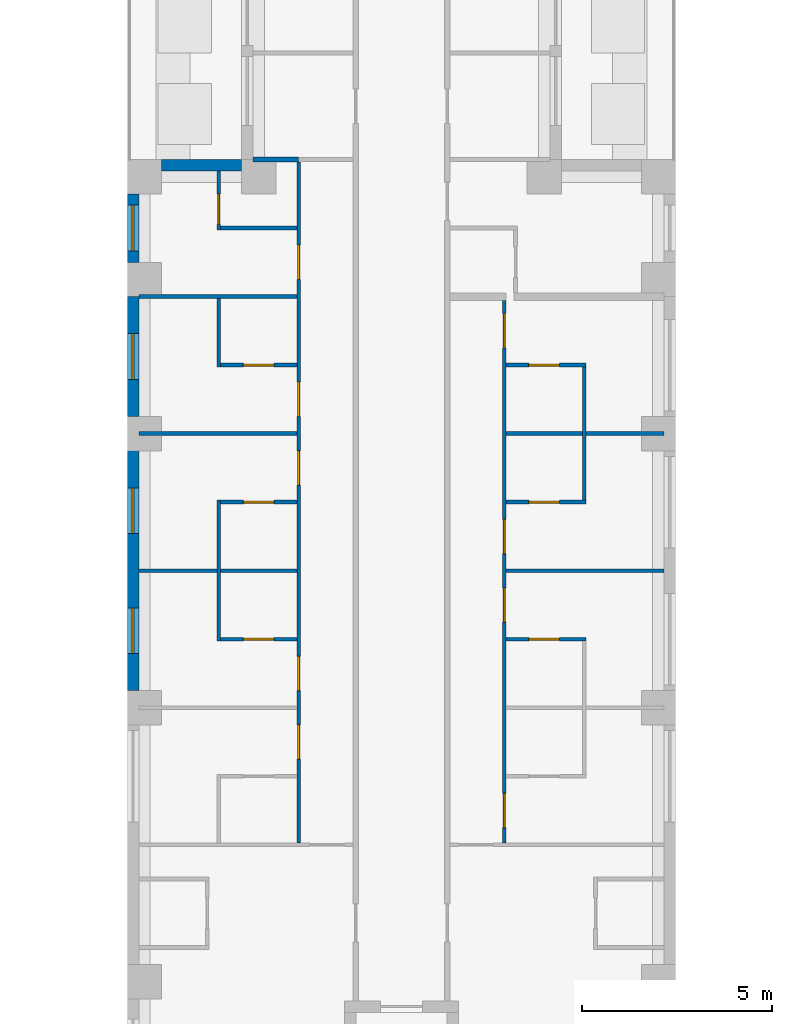
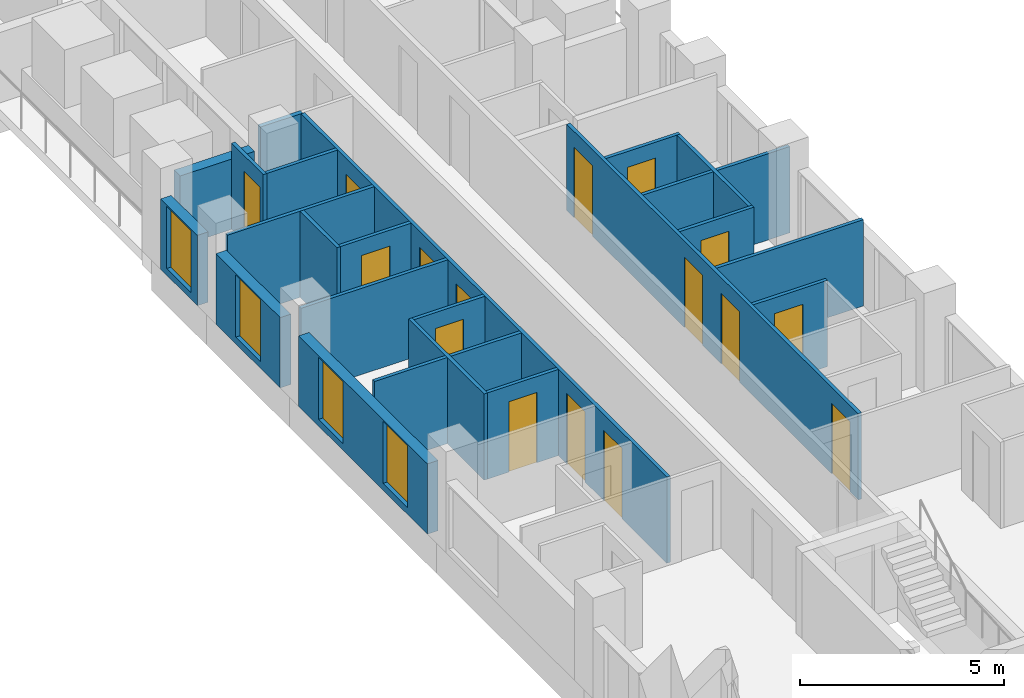
# One storey, part 4 of 14: 23 walls, 16 doors, 4 windows, 20 openings.
"""IFC4 building model written with IfcOpenShell, lengths in metres."""

from ifc_helpers import new_model, si_unit, direction, frame, frame_2d, origin, place, context, subcontext, project, spatial, rectangle, extrude, material, layer, layer_set, type_object, element, fill, save


model = new_model("IFC4")

# Units and contexts
model_context = context("Model", 3, precision=1e-05, world=origin(), true_north=direction((0.0, 1.0)))
body_context = subcontext(model_context, "Body", "Model", "MODEL_VIEW")
ifc_project = project(units=[si_unit("LENGTHUNIT", "METRE"), si_unit("AREAUNIT", "SQUARE_METRE"), si_unit("VOLUMEUNIT", "CUBIC_METRE"), si_unit("PLANEANGLEUNIT", "RADIAN"), si_unit("MASSUNIT", "GRAM", prefix="KILO")], contexts=[model_context])

# Site, building, storey
site_placement = place(None, origin())
site = spatial("IfcSite", under=ifc_project, at=site_placement, CompositionType="ELEMENT")
building_placement = place(site_placement, origin())
building = spatial("IfcBuilding", under=site, at=building_placement, Name="Fustian Cross Tower", CompositionType="ELEMENT")
storey_placement = place(building_placement, frame((0.0, 0.0, 69.89990234375)))
storey = spatial("IfcBuildingStorey", under=building, at=storey_placement, Name="L21", CompositionType="ELEMENT", Elevation=69.89990234375)

# Walls
ifc_material_1 = material(Name="Plasterboard on steel stud", Category="steel")
ifc_layer_1 = layer(ifc_material_1, 0.10009765625)
ifc_layer_set_1 = layer_set([ifc_layer_1], Name="Plasterboard on steel stud")
wall_type_1 = type_object("IfcWallType", Name="PARTITION 100 STUD", PredefinedType="PARTITIONING", material=ifc_layer_set_1)
for number, where, z_axis, x_axis, name in (
    (1, (-6.89990234375, -25.199951171875, 0.0), (0.0, 0.0, 1.0), (1.0, 0.0, 0.0), "Partition 22"),
    (2, (-6.89990234375, -21.60009765625, 0.0), (0.0, 0.0, 1.0), (1.0, 0.0, 0.0), "Partition 23"),
    (3, (-6.89990234375, -18.0, 0.0), (0.0, 0.0, 1.0), (1.0, 0.0, 0.0), "Partition 24"),
):
    element("IfcWall", number, at=place(storey_placement, frame(where, z_axis=z_axis, x_axis=x_axis)), inside=storey, type_object=wall_type_1, Name=name, PredefinedType="PARTITIONING", context=body_context, shape_type="SweptSolid", body=[
        extrude(rectangle(XDim=4.14990234375, YDim=0.10009765625, at=frame_2d((2.074951171875, 0.0))), origin(), (0.0, 0.0, 1.0), 2.5751953125),
    ])
wall_1_placement = place(storey_placement, frame((-4.800048828125, -27.050048828125, 0.0), z_axis=(0.0, 0.0, 1.0), x_axis=(0.0, 1.0, 0.0)))
element("IfcWall", 4, at=wall_1_placement, inside=storey, type_object=wall_type_1, Name="Partition 31", PredefinedType="PARTITIONING", context=body_context, shape_type="SweptSolid", body=[
    extrude(rectangle(XDim=3.699951171875, YDim=0.10009765625, at=frame_2d((1.85009765625, 0.0))), origin(), (0.0, 0.0, 1.0), 2.5751953125),
])

# Wall, opening, door
wall_2_placement = place(storey_placement, frame((-4.75, -27.0, 0.0), z_axis=(0.0, 0.0, 1.0), x_axis=(1.0, 0.0, 0.0)))
wall_2 = element("IfcWall", 5, at=wall_2_placement, inside=storey, type_object=wall_type_1, Name="Partition 32", PredefinedType="PARTITIONING", context=body_context, shape_type="SweptSolid", body=[
    extrude(rectangle(XDim=2.0, YDim=0.10009765625, at=frame_2d((1.0, 0.0))), origin(), (0.0, 0.0, 1.0), 2.5751953125),
])
opening_1_placement = place(wall_2_placement, frame((0.60009765625, 0.0, 0.0)))
opening_1 = element("IfcOpeningElement", 6, at=opening_1_placement, cuts=wall_2, Name="Opening D11064", PredefinedType="OPENING", context=body_context, shape_type="SweptSolid", body=[
    extrude(rectangle(XDim=0.800048828125, YDim=2.10009765625, at=frame_2d((0.39990234375, 1.050048828125))), frame((0.0, 0.06005859375, 0.0), z_axis=(0.0, -1.0, 0.0), x_axis=(1.0, 0.0, 0.0)), (0.0, 0.0, 1.0), 0.1201171875),
])
ifc_material_2 = material(Name="Painted timber", Category="wood")
door_type_1 = type_object("IfcDoorType", Name="SWING DOOR 800", OperationType="SINGLE_SWING_LEFT", PredefinedType="DOOR", material=ifc_material_2)
door_1_placement = place(opening_1_placement, origin())
door_1 = element("IfcDoor", 7, at=door_1_placement, inside=storey, type_object=door_type_1, Name="Door D11064", OperationType="SINGLE_SWING_LEFT", OverallHeight=2.10009765625, OverallWidth=0.800048828125, PredefinedType="DOOR", context=body_context, shape_type="SweptSolid", body=[
    extrude(rectangle(XDim=0.800048828125, YDim=2.10009765625, at=frame_2d((0.39990234375, 1.050048828125))), frame((0.0, 0.02490234375, 0.0), z_axis=(0.0, -1.0, 0.0), x_axis=(1.0, 0.0, 0.0)), (0.0, 0.0, 1.0), 0.050048828125),
])
fill(opening_1, door_1)

wall_3_placement = place(storey_placement, frame((-4.75, -23.39990234375, 0.0), z_axis=(0.0, 0.0, 1.0), x_axis=(1.0, 0.0, 0.0)))
wall_3 = element("IfcWall", 8, at=wall_3_placement, inside=storey, type_object=wall_type_1, Name="Partition 33", PredefinedType="PARTITIONING", context=body_context, shape_type="SweptSolid", body=[
    extrude(rectangle(XDim=2.0, YDim=0.10009765625, at=frame_2d((1.0, 0.0))), origin(), (0.0, 0.0, 1.0), 2.5751953125),
])
opening_2_placement = place(wall_3_placement, frame((0.60009765625, 0.0, 0.0)))
opening_2 = element("IfcOpeningElement", 9, at=opening_2_placement, cuts=wall_3, Name="Opening D11063", PredefinedType="OPENING", context=body_context, shape_type="SweptSolid", body=[
    extrude(rectangle(XDim=0.800048828125, YDim=2.10009765625, at=frame_2d((0.39990234375, 1.050048828125))), frame((0.0, 0.06005859375, 0.0), z_axis=(0.0, -1.0, 0.0), x_axis=(1.0, 0.0, 0.0)), (0.0, 0.0, 1.0), 0.1201171875),
])
door_2_placement = place(opening_2_placement, frame((0.800048828125, 0.0, 0.0), z_axis=(0.0, 0.0, 1.0), x_axis=(-1.0, 0.0, 0.0)))
door_2 = element("IfcDoor", 10, at=door_2_placement, inside=storey, type_object=door_type_1, Name="Door D11063", OperationType="SINGLE_SWING_RIGHT", OverallHeight=2.10009765625, OverallWidth=0.800048828125, PredefinedType="DOOR", context=body_context, shape_type="SweptSolid", body=[
    extrude(rectangle(XDim=0.800048828125, YDim=2.10009765625, at=frame_2d((0.39990234375, 1.050048828125))), frame((0.0, 0.02490234375, 0.0), z_axis=(0.0, -1.0, 0.0), x_axis=(1.0, 0.0, 0.0)), (0.0, 0.0, 1.0), 0.050048828125),
])
fill(opening_2, door_2)

# Wall
wall_4_placement = place(storey_placement, frame((-4.800048828125, -19.85009765625, 0.0), z_axis=(0.0, 0.0, 1.0), x_axis=(0.0, 1.0, 0.0)))
element("IfcWall", 11, at=wall_4_placement, inside=storey, type_object=wall_type_1, Name="Partition 34", PredefinedType="PARTITIONING", context=body_context, shape_type="SweptSolid", body=[
    extrude(rectangle(XDim=1.800048828125, YDim=0.10009765625, at=frame_2d((0.89990234375, 0.0))), origin(), (0.0, 0.0, 1.0), 2.5751953125),
])

# Wall, opening, door
wall_5_placement = place(storey_placement, frame((-4.75, -19.800048828125, 0.0), z_axis=(0.0, 0.0, 1.0), x_axis=(1.0, 0.0, 0.0)))
wall_5 = element("IfcWall", 12, at=wall_5_placement, inside=storey, type_object=wall_type_1, Name="Partition 35", PredefinedType="PARTITIONING", context=body_context, shape_type="SweptSolid", body=[
    extrude(rectangle(XDim=2.0, YDim=0.10009765625, at=frame_2d((1.0, 0.0))), origin(), (0.0, 0.0, 1.0), 2.5751953125),
])
opening_3_placement = place(wall_5_placement, frame((0.60009765625, 0.0, 0.0)))
opening_3 = element("IfcOpeningElement", 13, at=opening_3_placement, cuts=wall_5, Name="Opening D11062", PredefinedType="OPENING", context=body_context, shape_type="SweptSolid", body=[
    extrude(rectangle(XDim=0.800048828125, YDim=2.10009765625, at=frame_2d((0.39990234375, 1.050048828125))), frame((0.0, 0.06005859375, 0.0), z_axis=(0.0, -1.0, 0.0), x_axis=(1.0, 0.0, 0.0)), (0.0, 0.0, 1.0), 0.1201171875),
])
door_3_placement = place(opening_3_placement, origin())
door_3 = element("IfcDoor", 14, at=door_3_placement, inside=storey, type_object=door_type_1, Name="Door D11062", OperationType="SINGLE_SWING_LEFT", OverallHeight=2.10009765625, OverallWidth=0.800048828125, PredefinedType="DOOR", context=body_context, shape_type="SweptSolid", body=[
    extrude(rectangle(XDim=0.800048828125, YDim=2.10009765625, at=frame_2d((0.39990234375, 1.050048828125))), frame((0.0, 0.02490234375, 0.0), z_axis=(0.0, -1.0, 0.0), x_axis=(1.0, 0.0, 0.0)), (0.0, 0.0, 1.0), 0.050048828125),
])
fill(opening_3, door_3)

wall_6_placement = place(storey_placement, frame((-4.800048828125, -16.25, 0.0), z_axis=(0.0, 0.0, 1.0), x_axis=(0.0, 1.0, 0.0)))
wall_6 = element("IfcWall", 15, at=wall_6_placement, inside=storey, type_object=wall_type_1, Name="Partition 36", PredefinedType="PARTITIONING", context=body_context, shape_type="SweptSolid", body=[
    extrude(rectangle(XDim=1.550048828125, YDim=0.10009765625, at=frame_2d((0.77490234375, 0.0))), origin(), (0.0, 0.0, 1.0), 2.5751953125),
])
opening_4_placement = place(wall_6_placement, frame((0.14990234375, 0.0, 0.0)))
opening_4 = element("IfcOpeningElement", 16, at=opening_4_placement, cuts=wall_6, Name="Opening D11061", PredefinedType="OPENING", context=body_context, shape_type="SweptSolid", body=[
    extrude(rectangle(XDim=0.800048828125, YDim=2.10009765625, at=frame_2d((0.39990234375, 1.050048828125))), frame((0.0, 0.06005859375, 0.0), z_axis=(0.0, -1.0, 0.0), x_axis=(1.0, 0.0, 0.0)), (0.0, 0.0, 1.0), 0.1201171875),
])
door_4_placement = place(opening_4_placement, frame((0.800048828125, 0.0, 0.0), z_axis=(0.0, 0.0, 1.0), x_axis=(-1.0, 0.0, 0.0)))
door_4 = element("IfcDoor", 17, at=door_4_placement, inside=storey, type_object=door_type_1, Name="Door D11061", OperationType="SINGLE_SWING_RIGHT", OverallHeight=2.10009765625, OverallWidth=0.800048828125, PredefinedType="DOOR", context=body_context, shape_type="SweptSolid", body=[
    extrude(rectangle(XDim=0.800048828125, YDim=2.10009765625, at=frame_2d((0.39990234375, 1.050048828125))), frame((0.0, 0.02490234375, 0.0), z_axis=(0.0, -1.0, 0.0), x_axis=(1.0, 0.0, 0.0)), (0.0, 0.0, 1.0), 0.050048828125),
])
fill(opening_4, door_4)

# Wall
wall_7_placement = place(storey_placement, frame((-4.75, -16.199951171875, 0.0), z_axis=(0.0, 0.0, 1.0), x_axis=(1.0, 0.0, 0.0)))
element("IfcWall", 18, at=wall_7_placement, inside=storey, type_object=wall_type_1, Name="Partition 37", PredefinedType="PARTITIONING", context=body_context, shape_type="SweptSolid", body=[
    extrude(rectangle(XDim=2.0, YDim=0.10009765625, at=frame_2d((1.0, 0.0))), origin(), (0.0, 0.0, 1.0), 2.5751953125),
])

# Wall, openings, doors
wall_8_placement = place(storey_placement, frame((-2.699951171875, -32.35009765625, 0.0), z_axis=(0.0, 0.0, 1.0), x_axis=(0.0, 1.0, 0.0)))
wall_8 = element("IfcWall", 19, at=wall_8_placement, inside=storey, type_object=wall_type_1, Name="Partition 47", PredefinedType="PARTITIONING", context=body_context, shape_type="SweptSolid", body=[
    extrude(rectangle(XDim=17.8876953125, YDim=0.10009765625, at=frame_2d((8.94384765625, 0.0))), origin(), (0.0, 0.0, 1.0), 2.5751953125),
])
opening_5_placement = place(wall_8_placement, frame((2.199951171875, 0.0, 0.0)))
opening_5 = element("IfcOpeningElement", 20, at=opening_5_placement, cuts=wall_8, Name="Opening D11055", PredefinedType="OPENING", context=body_context, shape_type="SweptSolid", body=[
    extrude(rectangle(XDim=0.89990234375, YDim=2.10009765625, at=frame_2d((0.449951171875, 1.050048828125))), frame((0.0, 0.06005859375, 0.0), z_axis=(0.0, -1.0, 0.0), x_axis=(1.0, 0.0, 0.0)), (0.0, 0.0, 1.0), 0.1201171875),
])
opening_6_placement = place(wall_8_placement, frame((4.0, 0.0, 0.0)))
opening_6 = element("IfcOpeningElement", 21, at=opening_6_placement, cuts=wall_8, Name="Opening D11056", PredefinedType="OPENING", context=body_context, shape_type="SweptSolid", body=[
    extrude(rectangle(XDim=0.89990234375, YDim=2.10009765625, at=frame_2d((0.449951171875, 1.050048828125))), frame((0.0, 0.06005859375, 0.0), z_axis=(0.0, -1.0, 0.0), x_axis=(1.0, 0.0, 0.0)), (0.0, 0.0, 1.0), 0.1201171875),
])
opening_7_placement = place(wall_8_placement, frame((9.39990234375, 0.0, 0.0)))
opening_7 = element("IfcOpeningElement", 22, at=opening_7_placement, cuts=wall_8, Name="Opening D11057", PredefinedType="OPENING", context=body_context, shape_type="SweptSolid", body=[
    extrude(rectangle(XDim=0.89990234375, YDim=2.10009765625, at=frame_2d((0.449951171875, 1.050048828125))), frame((0.0, 0.06005859375, 0.0), z_axis=(0.0, -1.0, 0.0), x_axis=(1.0, 0.0, 0.0)), (0.0, 0.0, 1.0), 0.1201171875),
])
opening_8_placement = place(wall_8_placement, frame((11.199951171875, 0.0, 0.0)))
opening_8 = element("IfcOpeningElement", 23, at=opening_8_placement, cuts=wall_8, Name="Opening D11058", PredefinedType="OPENING", context=body_context, shape_type="SweptSolid", body=[
    extrude(rectangle(XDim=0.89990234375, YDim=2.10009765625, at=frame_2d((0.449951171875, 1.050048828125))), frame((0.0, 0.06005859375, 0.0), z_axis=(0.0, -1.0, 0.0), x_axis=(1.0, 0.0, 0.0)), (0.0, 0.0, 1.0), 0.1201171875),
])
opening_9_placement = place(wall_8_placement, frame((14.800048828125, 0.0, 0.0)))
opening_9 = element("IfcOpeningElement", 24, at=opening_9_placement, cuts=wall_8, Name="Opening D11059", PredefinedType="OPENING", context=body_context, shape_type="SweptSolid", body=[
    extrude(rectangle(XDim=0.89990234375, YDim=2.10009765625, at=frame_2d((0.449951171875, 1.050048828125))), frame((0.0, 0.06005859375, 0.0), z_axis=(0.0, -1.0, 0.0), x_axis=(1.0, 0.0, 0.0)), (0.0, 0.0, 1.0), 0.1201171875),
])
ifc_material_3 = material(Name="Painted timber", Category="wood")
door_type_2 = type_object("IfcDoorType", Name="SWING DOOR 900", OperationType="SINGLE_SWING_LEFT", PredefinedType="DOOR", material=ifc_material_3)
door_5_placement = place(opening_5_placement, origin())
door_5 = element("IfcDoor", 25, at=door_5_placement, inside=storey, type_object=door_type_2, Name="Door D11055", OperationType="SINGLE_SWING_LEFT", OverallHeight=2.10009765625, OverallWidth=0.89990234375, PredefinedType="DOOR", context=body_context, shape_type="SweptSolid", body=[
    extrude(rectangle(XDim=0.89990234375, YDim=2.10009765625, at=frame_2d((0.449951171875, 1.050048828125))), frame((0.0, 0.02490234375, 0.0), z_axis=(0.0, -1.0, 0.0), x_axis=(1.0, 0.0, 0.0)), (0.0, 0.0, 1.0), 0.050048828125),
])
fill(opening_5, door_5)
door_6_placement = place(opening_6_placement, origin())
door_6 = element("IfcDoor", 26, at=door_6_placement, inside=storey, type_object=door_type_2, Name="Door D11056", OperationType="SINGLE_SWING_LEFT", OverallHeight=2.10009765625, OverallWidth=0.89990234375, PredefinedType="DOOR", context=body_context, shape_type="SweptSolid", body=[
    extrude(rectangle(XDim=0.89990234375, YDim=2.10009765625, at=frame_2d((0.449951171875, 1.050048828125))), frame((0.0, 0.02490234375, 0.0), z_axis=(0.0, -1.0, 0.0), x_axis=(1.0, 0.0, 0.0)), (0.0, 0.0, 1.0), 0.050048828125),
])
fill(opening_6, door_6)
door_7_placement = place(opening_7_placement, origin())
door_7 = element("IfcDoor", 27, at=door_7_placement, inside=storey, type_object=door_type_2, Name="Door D11057", OperationType="SINGLE_SWING_LEFT", OverallHeight=2.10009765625, OverallWidth=0.89990234375, PredefinedType="DOOR", context=body_context, shape_type="SweptSolid", body=[
    extrude(rectangle(XDim=0.89990234375, YDim=2.10009765625, at=frame_2d((0.449951171875, 1.050048828125))), frame((0.0, 0.02490234375, 0.0), z_axis=(0.0, -1.0, 0.0), x_axis=(1.0, 0.0, 0.0)), (0.0, 0.0, 1.0), 0.050048828125),
])
fill(opening_7, door_7)
door_8_placement = place(opening_8_placement, origin())
door_8 = element("IfcDoor", 28, at=door_8_placement, inside=storey, type_object=door_type_2, Name="Door D11058", OperationType="SINGLE_SWING_LEFT", OverallHeight=2.10009765625, OverallWidth=0.89990234375, PredefinedType="DOOR", context=body_context, shape_type="SweptSolid", body=[
    extrude(rectangle(XDim=0.89990234375, YDim=2.10009765625, at=frame_2d((0.449951171875, 1.050048828125))), frame((0.0, 0.02490234375, 0.0), z_axis=(0.0, -1.0, 0.0), x_axis=(1.0, 0.0, 0.0)), (0.0, 0.0, 1.0), 0.050048828125),
])
fill(opening_8, door_8)
door_9_placement = place(opening_9_placement, origin())
door_9 = element("IfcDoor", 29, at=door_9_placement, inside=storey, type_object=door_type_2, Name="Door D11059", OperationType="SINGLE_SWING_LEFT", OverallHeight=2.10009765625, OverallWidth=0.89990234375, PredefinedType="DOOR", context=body_context, shape_type="SweptSolid", body=[
    extrude(rectangle(XDim=0.89990234375, YDim=2.10009765625, at=frame_2d((0.449951171875, 1.050048828125))), frame((0.0, 0.02490234375, 0.0), z_axis=(0.0, -1.0, 0.0), x_axis=(1.0, 0.0, 0.0)), (0.0, 0.0, 1.0), 0.050048828125),
])
fill(opening_9, door_9)

wall_9_placement = place(storey_placement, frame((2.699951171875, -32.35009765625, 0.0), z_axis=(0.0, 0.0, 1.0), x_axis=(0.0, 1.0, 0.0)))
wall_9 = element("IfcWall", 30, at=wall_9_placement, inside=storey, type_object=wall_type_1, Name="Partition 67", PredefinedType="PARTITIONING", context=body_context, shape_type="SweptSolid", body=[
    extrude(rectangle(XDim=14.25, YDim=0.10009765625, at=frame_2d((7.125, 0.0))), origin(), (0.0, 0.0, 1.0), 2.5751953125),
])
opening_10_placement = place(wall_9_placement, frame((0.400146484375, 0.0, 0.0)))
opening_10 = element("IfcOpeningElement", 31, at=opening_10_placement, cuts=wall_9, Name="Opening D11043", PredefinedType="OPENING", context=body_context, shape_type="SweptSolid", body=[
    extrude(rectangle(XDim=0.89990234375, YDim=2.10009765625, at=frame_2d((0.449951171875, 1.050048828125))), frame((0.0, 0.06005859375, 0.0), z_axis=(0.0, -1.0, 0.0), x_axis=(1.0, 0.0, 0.0)), (0.0, 0.0, 1.0), 0.1201171875),
])
opening_11_placement = place(wall_9_placement, frame((5.800048828125, 0.0, 0.0)))
opening_11 = element("IfcOpeningElement", 32, at=opening_11_placement, cuts=wall_9, Name="Opening D11044", PredefinedType="OPENING", context=body_context, shape_type="SweptSolid", body=[
    extrude(rectangle(XDim=0.89990234375, YDim=2.10009765625, at=frame_2d((0.449951171875, 1.050048828125))), frame((0.0, 0.06005859375, 0.0), z_axis=(0.0, -1.0, 0.0), x_axis=(1.0, 0.0, 0.0)), (0.0, 0.0, 1.0), 0.1201171875),
])
opening_12_placement = place(wall_9_placement, frame((7.60009765625, 0.0, 0.0)))
opening_12 = element("IfcOpeningElement", 33, at=opening_12_placement, cuts=wall_9, Name="Opening D11045", PredefinedType="OPENING", context=body_context, shape_type="SweptSolid", body=[
    extrude(rectangle(XDim=0.89990234375, YDim=2.10009765625, at=frame_2d((0.449951171875, 1.050048828125))), frame((0.0, 0.06005859375, 0.0), z_axis=(0.0, -1.0, 0.0), x_axis=(1.0, 0.0, 0.0)), (0.0, 0.0, 1.0), 0.1201171875),
])
opening_13_placement = place(wall_9_placement, frame((13.0, 0.0, 0.0)))
opening_13 = element("IfcOpeningElement", 34, at=opening_13_placement, cuts=wall_9, Name="Opening D11046", PredefinedType="OPENING", context=body_context, shape_type="SweptSolid", body=[
    extrude(rectangle(XDim=0.89990234375, YDim=2.10009765625, at=frame_2d((0.449951171875, 1.050048828125))), frame((0.0, 0.06005859375, 0.0), z_axis=(0.0, -1.0, 0.0), x_axis=(1.0, 0.0, 0.0)), (0.0, 0.0, 1.0), 0.1201171875),
])
door_10_placement = place(opening_10_placement, frame((0.89990234375, 0.0, 0.0), z_axis=(0.0, 0.0, 1.0), x_axis=(-1.0, 0.0, 0.0)))
door_10 = element("IfcDoor", 35, at=door_10_placement, inside=storey, type_object=door_type_2, Name="Door D11043", OperationType="SINGLE_SWING_RIGHT", OverallHeight=2.10009765625, OverallWidth=0.89990234375, PredefinedType="DOOR", context=body_context, shape_type="SweptSolid", body=[
    extrude(rectangle(XDim=0.89990234375, YDim=2.10009765625, at=frame_2d((0.449951171875, 1.050048828125))), frame((0.0, 0.02490234375, 0.0), z_axis=(0.0, -1.0, 0.0), x_axis=(1.0, 0.0, 0.0)), (0.0, 0.0, 1.0), 0.050048828125),
])
fill(opening_10, door_10)
door_11_placement = place(opening_11_placement, frame((0.89990234375, 0.0, 0.0), z_axis=(0.0, 0.0, 1.0), x_axis=(-1.0, 0.0, 0.0)))
door_11 = element("IfcDoor", 36, at=door_11_placement, inside=storey, type_object=door_type_2, Name="Door D11044", OperationType="SINGLE_SWING_RIGHT", OverallHeight=2.10009765625, OverallWidth=0.89990234375, PredefinedType="DOOR", context=body_context, shape_type="SweptSolid", body=[
    extrude(rectangle(XDim=0.89990234375, YDim=2.10009765625, at=frame_2d((0.449951171875, 1.050048828125))), frame((0.0, 0.02490234375, 0.0), z_axis=(0.0, -1.0, 0.0), x_axis=(1.0, 0.0, 0.0)), (0.0, 0.0, 1.0), 0.050048828125),
])
fill(opening_11, door_11)
door_12_placement = place(opening_12_placement, frame((0.89990234375, 0.0, 0.0), z_axis=(0.0, 0.0, 1.0), x_axis=(-1.0, 0.0, 0.0)))
door_12 = element("IfcDoor", 37, at=door_12_placement, inside=storey, type_object=door_type_2, Name="Door D11045", OperationType="SINGLE_SWING_RIGHT", OverallHeight=2.10009765625, OverallWidth=0.89990234375, PredefinedType="DOOR", context=body_context, shape_type="SweptSolid", body=[
    extrude(rectangle(XDim=0.89990234375, YDim=2.10009765625, at=frame_2d((0.449951171875, 1.050048828125))), frame((0.0, 0.02490234375, 0.0), z_axis=(0.0, -1.0, 0.0), x_axis=(1.0, 0.0, 0.0)), (0.0, 0.0, 1.0), 0.050048828125),
])
fill(opening_12, door_12)
door_13_placement = place(opening_13_placement, frame((0.89990234375, 0.0, 0.0), z_axis=(0.0, 0.0, 1.0), x_axis=(-1.0, 0.0, 0.0)))
door_13 = element("IfcDoor", 38, at=door_13_placement, inside=storey, type_object=door_type_2, Name="Door D11046", OperationType="SINGLE_SWING_RIGHT", OverallHeight=2.10009765625, OverallWidth=0.89990234375, PredefinedType="DOOR", context=body_context, shape_type="SweptSolid", body=[
    extrude(rectangle(XDim=0.89990234375, YDim=2.10009765625, at=frame_2d((0.449951171875, 1.050048828125))), frame((0.0, 0.02490234375, 0.0), z_axis=(0.0, -1.0, 0.0), x_axis=(1.0, 0.0, 0.0)), (0.0, 0.0, 1.0), 0.050048828125),
])
fill(opening_13, door_13)

# Wall, opening, door
wall_10_placement = place(storey_placement, frame((2.75, -27.0, 0.0), z_axis=(0.0, 0.0, 1.0), x_axis=(1.0, 0.0, 0.0)))
wall_10 = element("IfcWall", 39, at=wall_10_placement, inside=storey, type_object=wall_type_1, Name="Partition 70", PredefinedType="PARTITIONING", context=body_context, shape_type="SweptSolid", body=[
    extrude(rectangle(XDim=2.10009765625, YDim=0.10009765625, at=frame_2d((1.050048828125, 0.0))), origin(), (0.0, 0.0, 1.0), 2.5751953125),
])
opening_14_placement = place(wall_10_placement, frame((0.60009765625, 0.0, 0.0)))
opening_14 = element("IfcOpeningElement", 40, at=opening_14_placement, cuts=wall_10, Name="Opening D11049", PredefinedType="OPENING", context=body_context, shape_type="SweptSolid", body=[
    extrude(rectangle(XDim=0.800048828125, YDim=2.10009765625, at=frame_2d((0.39990234375, 1.050048828125))), frame((0.0, 0.06005859375, 0.0), z_axis=(0.0, -1.0, 0.0), x_axis=(1.0, 0.0, 0.0)), (0.0, 0.0, 1.0), 0.1201171875),
])
door_14_placement = place(opening_14_placement, frame((0.800048828125, 0.0, 0.0), z_axis=(0.0, 0.0, 1.0), x_axis=(-1.0, 0.0, 0.0)))
door_14 = element("IfcDoor", 41, at=door_14_placement, inside=storey, type_object=door_type_1, Name="Door D11049", OperationType="SINGLE_SWING_RIGHT", OverallHeight=2.10009765625, OverallWidth=0.800048828125, PredefinedType="DOOR", context=body_context, shape_type="SweptSolid", body=[
    extrude(rectangle(XDim=0.800048828125, YDim=2.10009765625, at=frame_2d((0.39990234375, 1.050048828125))), frame((0.0, 0.02490234375, 0.0), z_axis=(0.0, -1.0, 0.0), x_axis=(1.0, 0.0, 0.0)), (0.0, 0.0, 1.0), 0.050048828125),
])
fill(opening_14, door_14)

# Wall
wall_11_placement = place(storey_placement, frame((2.75, -25.199951171875, 0.0), z_axis=(0.0, 0.0, 1.0), x_axis=(1.0, 0.0, 0.0)))
element("IfcWall", 42, at=wall_11_placement, inside=storey, type_object=wall_type_1, Name="Partition 71", PredefinedType="PARTITIONING", context=body_context, shape_type="SweptSolid", body=[
    extrude(rectangle(XDim=4.14990234375, YDim=0.10009765625, at=frame_2d((2.074951171875, 0.0))), origin(), (0.0, 0.0, 1.0), 2.5751953125),
])

# Wall, opening, door
wall_12_placement = place(storey_placement, frame((2.75, -23.39990234375, 0.0), z_axis=(0.0, 0.0, 1.0), x_axis=(1.0, 0.0, 0.0)))
wall_12 = element("IfcWall", 43, at=wall_12_placement, inside=storey, type_object=wall_type_1, Name="Partition 72", PredefinedType="PARTITIONING", context=body_context, shape_type="SweptSolid", body=[
    extrude(rectangle(XDim=2.10009765625, YDim=0.10009765625, at=frame_2d((1.050048828125, 0.0))), origin(), (0.0, 0.0, 1.0), 2.5751953125),
])
opening_15_placement = place(wall_12_placement, frame((0.60009765625, 0.0, 0.0)))
opening_15 = element("IfcOpeningElement", 44, at=opening_15_placement, cuts=wall_12, Name="Opening D11048", PredefinedType="OPENING", context=body_context, shape_type="SweptSolid", body=[
    extrude(rectangle(XDim=0.800048828125, YDim=2.10009765625, at=frame_2d((0.39990234375, 1.050048828125))), frame((0.0, 0.06005859375, 0.0), z_axis=(0.0, -1.0, 0.0), x_axis=(1.0, 0.0, 0.0)), (0.0, 0.0, 1.0), 0.1201171875),
])
door_15_placement = place(opening_15_placement, origin())
door_15 = element("IfcDoor", 45, at=door_15_placement, inside=storey, type_object=door_type_1, Name="Door D11048", OperationType="SINGLE_SWING_LEFT", OverallHeight=2.10009765625, OverallWidth=0.800048828125, PredefinedType="DOOR", context=body_context, shape_type="SweptSolid", body=[
    extrude(rectangle(XDim=0.800048828125, YDim=2.10009765625, at=frame_2d((0.39990234375, 1.050048828125))), frame((0.0, 0.02490234375, 0.0), z_axis=(0.0, -1.0, 0.0), x_axis=(1.0, 0.0, 0.0)), (0.0, 0.0, 1.0), 0.050048828125),
])
fill(opening_15, door_15)

# Wall
wall_13_placement = place(storey_placement, frame((2.75, -21.60009765625, 0.0), z_axis=(0.0, 0.0, 1.0), x_axis=(1.0, 0.0, 0.0)))
element("IfcWall", 46, at=wall_13_placement, inside=storey, type_object=wall_type_1, Name="Partition 73", PredefinedType="PARTITIONING", context=body_context, shape_type="SweptSolid", body=[
    extrude(rectangle(XDim=4.14990234375, YDim=0.10009765625, at=frame_2d((2.074951171875, 0.0))), origin(), (0.0, 0.0, 1.0), 2.5751953125),
])

# Wall, opening, door
wall_14_placement = place(storey_placement, frame((2.75, -19.800048828125, 0.0), z_axis=(0.0, 0.0, 1.0), x_axis=(1.0, 0.0, 0.0)))
wall_14 = element("IfcWall", 47, at=wall_14_placement, inside=storey, type_object=wall_type_1, Name="Partition 74", PredefinedType="PARTITIONING", context=body_context, shape_type="SweptSolid", body=[
    extrude(rectangle(XDim=2.10009765625, YDim=0.10009765625, at=frame_2d((1.050048828125, 0.0))), origin(), (0.0, 0.0, 1.0), 2.5751953125),
])
opening_16_placement = place(wall_14_placement, frame((0.60009765625, 0.0, 0.0)))
opening_16 = element("IfcOpeningElement", 48, at=opening_16_placement, cuts=wall_14, Name="Opening D11047", PredefinedType="OPENING", context=body_context, shape_type="SweptSolid", body=[
    extrude(rectangle(XDim=0.800048828125, YDim=2.10009765625, at=frame_2d((0.39990234375, 1.050048828125))), frame((0.0, 0.06005859375, 0.0), z_axis=(0.0, -1.0, 0.0), x_axis=(1.0, 0.0, 0.0)), (0.0, 0.0, 1.0), 0.1201171875),
])
door_16_placement = place(opening_16_placement, frame((0.800048828125, 0.0, 0.0), z_axis=(0.0, 0.0, 1.0), x_axis=(-1.0, 0.0, 0.0)))
door_16 = element("IfcDoor", 49, at=door_16_placement, inside=storey, type_object=door_type_1, Name="Door D11047", OperationType="SINGLE_SWING_RIGHT", OverallHeight=2.10009765625, OverallWidth=0.800048828125, PredefinedType="DOOR", context=body_context, shape_type="SweptSolid", body=[
    extrude(rectangle(XDim=0.800048828125, YDim=2.10009765625, at=frame_2d((0.39990234375, 1.050048828125))), frame((0.0, 0.02490234375, 0.0), z_axis=(0.0, -1.0, 0.0), x_axis=(1.0, 0.0, 0.0)), (0.0, 0.0, 1.0), 0.050048828125),
])
fill(opening_16, door_16)

# Walls
wall_15_placement = place(storey_placement, frame((4.800048828125, -23.35009765625, 0.0), z_axis=(0.0, 0.0, 1.0), x_axis=(0.0, 1.0, 0.0)))
element("IfcWall", 50, at=wall_15_placement, inside=storey, type_object=wall_type_1, Name="Partition 79", PredefinedType="PARTITIONING", context=body_context, shape_type="SweptSolid", body=[
    extrude(rectangle(XDim=3.5, YDim=0.10009765625, at=frame_2d((1.75, 0.0))), origin(), (0.0, 0.0, 1.0), 2.5751953125),
])
ifc_material_4 = material(Name="Plasterboard on steel stud", Category="steel")
ifc_layer_2 = layer(ifc_material_4, 0.125)
ifc_layer_set_2 = layer_set([ifc_layer_2], Name="Plasterboard on steel stud")
wall_type_2 = type_object("IfcWallType", Name="WET WALL 125 STUD", PredefinedType="PARTITIONING", material=ifc_layer_set_2)
wall_16_placement = place(storey_placement, frame((-3.89990234375, -14.39990234375, 0.0), z_axis=(0.0, 0.0, 1.0), x_axis=(1.0, 0.0, 0.0)))
element("IfcWall", 51, at=wall_16_placement, inside=storey, type_object=wall_type_2, Name="Partition 38", PredefinedType="PARTITIONING", context=body_context, shape_type="SweptSolid", body=[
    extrude(rectangle(XDim=1.199951171875, YDim=0.125, at=frame_2d((0.60009765625, 0.0))), origin(), (0.0, 0.0, 1.0), 2.5751953125),
])
ifc_material_5 = material(Name="Dark aluminium cladding on insulated backing wall", Category="aluminium")
ifc_layer_3 = layer(ifc_material_5, 0.300048828125)
ifc_layer_set_3 = layer_set([ifc_layer_3], Name="Dark aluminium cladding on insulated backing wall")
wall_type_3 = type_object("IfcWallType", Name="XW1 EXTERNAL WALL 300", PredefinedType="SOLIDWALL", material=ifc_layer_set_3)
wall_17_placement = place(storey_placement, frame((-4.199951171875, -14.550048828125, 0.0), z_axis=(0.0, 0.0, 1.0), x_axis=(-1.0, 0.0, 0.0)))
element("IfcWall", 52, at=wall_17_placement, inside=storey, type_object=wall_type_3, Name="External wall", PredefinedType="SOLIDWALL", context=body_context, shape_type="SweptSolid", body=[
    extrude(rectangle(XDim=2.10009765625, YDim=0.300048828125, at=frame_2d((1.050048828125, 0.0))), origin(), (0.0, 0.0, 1.0), 2.10009765625),
])

# Wall, opening, window
wall_18_placement = place(storey_placement, frame((-7.050048828125, -15.300048828125, 0.0), z_axis=(0.0, 0.0, 1.0), x_axis=(0.0, -1.0, 0.0)))
wall_18 = element("IfcWall", 53, at=wall_18_placement, inside=storey, type_object=wall_type_3, Name="External wall", PredefinedType="SOLIDWALL", context=body_context, shape_type="SweptSolid", body=[
    extrude(rectangle(XDim=1.800048828125, YDim=0.300048828125, at=frame_2d((0.89990234375, 0.0))), origin(), (0.0, 0.0, 1.0), 2.10009765625),
])
opening_17_placement = place(wall_18_placement, frame((0.300048828125, 0.0, 0.199951171875)))
opening_17 = element("IfcOpeningElement", 54, at=opening_17_placement, cuts=wall_18, Name="Opening WN3", PredefinedType="OPENING", context=body_context, shape_type="SweptSolid", body=[
    extrude(rectangle(XDim=1.199951171875, YDim=1.85009765625, at=frame_2d((0.60009765625, 0.925048828125))), frame((0.0, 0.159912109375, 0.0), z_axis=(0.0, -1.0, 0.0), x_axis=(1.0, 0.0, 0.0)), (0.0, 0.0, 1.0), 0.320068359375),
])
ifc_material_6 = material(Name="Dark anodised aluminium and double glazing", Category="aluminium")
window_type = type_object("IfcWindowType", Name="WN3 WINDOW 1200X1850", PartitioningType="SINGLE_PANEL", PredefinedType="WINDOW", material=ifc_material_6)
window_1_placement = place(opening_17_placement, origin())
window_1 = element("IfcWindow", 55, at=window_1_placement, inside=storey, type_object=window_type, Name="Window", OverallHeight=1.85009765625, OverallWidth=1.199951171875, PartitioningType="SINGLE_PANEL", PredefinedType="WINDOW", context=body_context, shape_type="SweptSolid", body=[
    extrude(rectangle(XDim=1.199951171875, YDim=1.85009765625, at=frame_2d((0.60009765625, 0.925048828125))), frame((0.0, 0.030029296875, 0.0), z_axis=(0.0, -1.0, 0.0), x_axis=(1.0, 0.0, 0.0)), (0.0, 0.0, 1.0), 0.06005859375),
])
fill(opening_17, window_1)

wall_19_placement = place(storey_placement, frame((-7.050048828125, -18.0, 0.0), z_axis=(0.0, 0.0, 1.0), x_axis=(0.0, -1.0, 0.0)))
wall_19 = element("IfcWall", 56, at=wall_19_placement, inside=storey, type_object=wall_type_3, Name="External wall", PredefinedType="SOLIDWALL", context=body_context, shape_type="SweptSolid", body=[
    extrude(rectangle(XDim=3.14990234375, YDim=0.300048828125, at=frame_2d((1.574951171875, 0.0))), origin(), (0.0, 0.0, 1.0), 2.10009765625),
])
opening_18_placement = place(wall_19_placement, frame((0.97509765625, 0.0, 0.199951171875)))
opening_18 = element("IfcOpeningElement", 57, at=opening_18_placement, cuts=wall_19, Name="Opening WN3", PredefinedType="OPENING", context=body_context, shape_type="SweptSolid", body=[
    extrude(rectangle(XDim=1.199951171875, YDim=1.85009765625, at=frame_2d((0.60009765625, 0.925048828125))), frame((0.0, 0.159912109375, 0.0), z_axis=(0.0, -1.0, 0.0), x_axis=(1.0, 0.0, 0.0)), (0.0, 0.0, 1.0), 0.320068359375),
])
window_2_placement = place(opening_18_placement, origin())
window_2 = element("IfcWindow", 58, at=window_2_placement, inside=storey, type_object=window_type, Name="Window", OverallHeight=1.85009765625, OverallWidth=1.199951171875, PartitioningType="SINGLE_PANEL", PredefinedType="WINDOW", context=body_context, shape_type="SweptSolid", body=[
    extrude(rectangle(XDim=1.199951171875, YDim=1.85009765625, at=frame_2d((0.60009765625, 0.925048828125))), frame((0.0, 0.030029296875, 0.0), z_axis=(0.0, -1.0, 0.0), x_axis=(1.0, 0.0, 0.0)), (0.0, 0.0, 1.0), 0.06005859375),
])
fill(opening_18, window_2)

# Wall, openings, windows
wall_20_placement = place(storey_placement, frame((-7.050048828125, -22.050048828125, 0.0), z_axis=(0.0, 0.0, 1.0), x_axis=(0.0, -1.0, 0.0)))
wall_20 = element("IfcWall", 59, at=wall_20_placement, inside=storey, type_object=wall_type_3, Name="External wall", PredefinedType="SOLIDWALL", context=body_context, shape_type="SweptSolid", body=[
    extrude(rectangle(XDim=6.300048828125, YDim=0.300048828125, at=frame_2d((3.14990234375, 0.0))), origin(), (0.0, 0.0, 1.0), 2.10009765625),
])
opening_19_placement = place(wall_20_placement, frame((0.97509765625, 0.0, 0.199951171875)))
opening_19 = element("IfcOpeningElement", 60, at=opening_19_placement, cuts=wall_20, Name="Opening WN3", PredefinedType="OPENING", context=body_context, shape_type="SweptSolid", body=[
    extrude(rectangle(XDim=1.199951171875, YDim=1.85009765625, at=frame_2d((0.60009765625, 0.925048828125))), frame((0.0, 0.159912109375, 0.0), z_axis=(0.0, -1.0, 0.0), x_axis=(1.0, 0.0, 0.0)), (0.0, 0.0, 1.0), 0.320068359375),
])
opening_20_placement = place(wall_20_placement, frame((4.125, 0.0, 0.199951171875)))
opening_20 = element("IfcOpeningElement", 61, at=opening_20_placement, cuts=wall_20, Name="Opening WN3", PredefinedType="OPENING", context=body_context, shape_type="SweptSolid", body=[
    extrude(rectangle(XDim=1.199951171875, YDim=1.85009765625, at=frame_2d((0.60009765625, 0.925048828125))), frame((0.0, 0.159912109375, 0.0), z_axis=(0.0, -1.0, 0.0), x_axis=(1.0, 0.0, 0.0)), (0.0, 0.0, 1.0), 0.320068359375),
])
window_3_placement = place(opening_19_placement, origin())
window_3 = element("IfcWindow", 62, at=window_3_placement, inside=storey, type_object=window_type, Name="Window", OverallHeight=1.85009765625, OverallWidth=1.199951171875, PartitioningType="SINGLE_PANEL", PredefinedType="WINDOW", context=body_context, shape_type="SweptSolid", body=[
    extrude(rectangle(XDim=1.199951171875, YDim=1.85009765625, at=frame_2d((0.60009765625, 0.925048828125))), frame((0.0, 0.030029296875, 0.0), z_axis=(0.0, -1.0, 0.0), x_axis=(1.0, 0.0, 0.0)), (0.0, 0.0, 1.0), 0.06005859375),
])
fill(opening_19, window_3)
window_4_placement = place(opening_20_placement, origin())
window_4 = element("IfcWindow", 63, at=window_4_placement, inside=storey, type_object=window_type, Name="Window", OverallHeight=1.85009765625, OverallWidth=1.199951171875, PartitioningType="SINGLE_PANEL", PredefinedType="WINDOW", context=body_context, shape_type="SweptSolid", body=[
    extrude(rectangle(XDim=1.199951171875, YDim=1.85009765625, at=frame_2d((0.60009765625, 0.925048828125))), frame((0.0, 0.030029296875, 0.0), z_axis=(0.0, -1.0, 0.0), x_axis=(1.0, 0.0, 0.0)), (0.0, 0.0, 1.0), 0.06005859375),
])
fill(opening_20, window_4)

save(model, "model.ifc")
